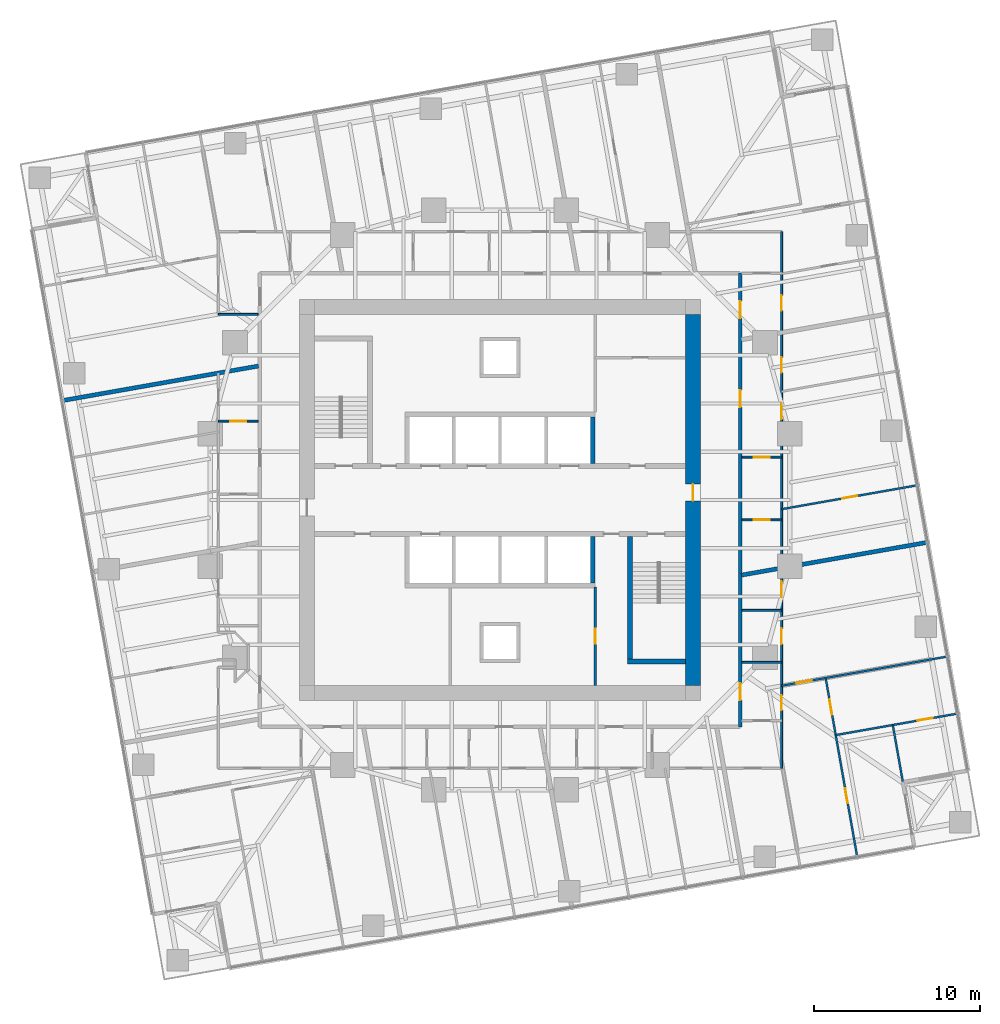
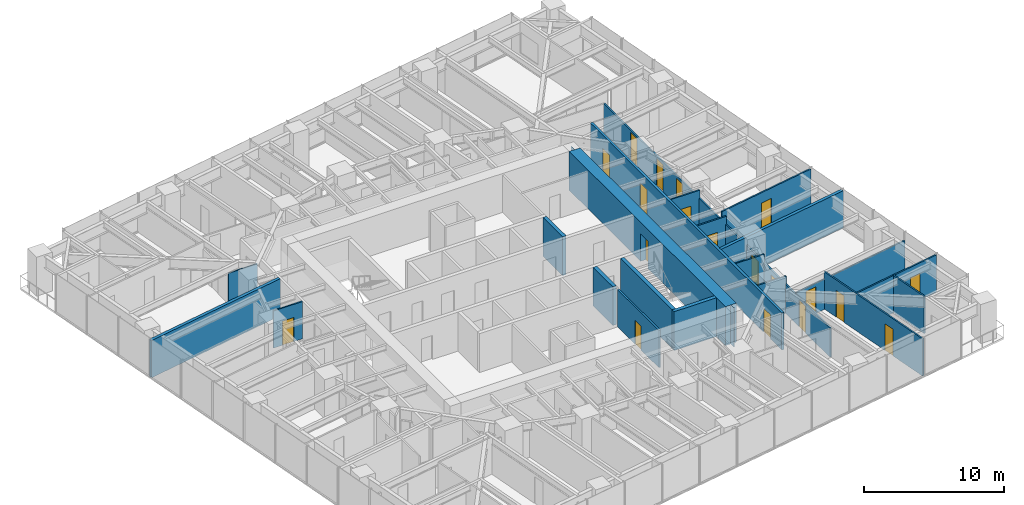
# One storey, part 11 of 14: 21 walls, 19 doors, 19 openings.
"""IFC4 building model written with IfcOpenShell, lengths in metres."""

from ifc_helpers import new_model, si_unit, direction, frame, frame_2d, origin, place, context, subcontext, project, spatial, polyline, rectangle, outline, extrude, material, layer, layer_set, type_object, element, fill, save


model = new_model("IFC4")

# Units and contexts
model_context = context("Model", 3, precision=1e-05, world=origin(), true_north=direction((0.0, 1.0)))
body_context = subcontext(model_context, "Body", "Model", "MODEL_VIEW")
ifc_project = project(units=[si_unit("LENGTHUNIT", "METRE"), si_unit("AREAUNIT", "SQUARE_METRE"), si_unit("VOLUMEUNIT", "CUBIC_METRE"), si_unit("PLANEANGLEUNIT", "RADIAN"), si_unit("MASSUNIT", "GRAM", prefix="KILO")], contexts=[model_context])

# Site, building, storey
site_placement = place(None, origin())
site = spatial("IfcSite", under=ifc_project, at=site_placement, CompositionType="ELEMENT")
building_placement = place(site_placement, origin())
building = spatial("IfcBuilding", under=site, at=building_placement, Name="Torsade Residences", CompositionType="ELEMENT")
storey_placement = place(building_placement, frame((0.0, 0.0, 96.39990234375)))
storey = spatial("IfcBuildingStorey", under=building, at=storey_placement, Name="L26", CompositionType="ELEMENT", Elevation=96.39990234375)

# Walls
ifc_material_1 = material(Name="Concrete 80 MPa", Category="concrete")
ifc_layer_1 = layer(ifc_material_1, 0.300048828125)
ifc_layer_set_1 = layer_set([ifc_layer_1], Name="Concrete 80 MPa")
wall_type_1 = type_object("IfcWallType", Name="CORE INTERNAL WALL 300", PredefinedType="SHEAR", material=ifc_layer_set_1)
for number, where, z_axis, x_axis, name in (
    (1, (45.60009765625, 27.800048828125, 0.0), (0.0, 0.0, 1.0), (0.0, -1.0, 0.0), "Core wall DS0 L26"),
    (2, (45.60009765625, 32.199951171875, 0.0), (0.0, 0.0, 1.0), (0.0, 1.0, 0.0), "Core wall DN4 L26"),
):
    element("IfcWall", number, at=place(storey_placement, frame(where, z_axis=z_axis, x_axis=x_axis)), inside=storey, type_object=wall_type_1, Name=name, PredefinedType="SHEAR", context=body_context, shape_type="SweptSolid", body=[
        extrude(rectangle(XDim=2.800048828125, YDim=0.300048828125, at=frame_2d((1.39990234375, 0.0))), origin(), (0.0, 0.0, 1.0), 3.400146484375),
    ])
wall_1_placement = place(storey_placement, frame((47.85009765625, 27.800048828125, 0.0), z_axis=(0.0, 0.0, 1.0), x_axis=(0.0, -1.0, 0.0)))
element("IfcWall", 3, at=wall_1_placement, inside=storey, type_object=wall_type_1, Name="Core wall ST2W L26", PredefinedType="SHEAR", context=body_context, shape_type="SweptSolid", body=[
    extrude(rectangle(XDim=7.699951171875, YDim=0.300048828125, at=frame_2d((3.85009765625, 0.0))), origin(), (0.0, 0.0, 1.0), 3.400146484375),
])
wall_2_placement = place(storey_placement, frame((51.199951171875, 20.25, 0.0), z_axis=(0.0, 0.0, 1.0), x_axis=(-1.0, 0.0, 0.0)))
element("IfcWall", 4, at=wall_2_placement, inside=storey, type_object=wall_type_1, Name="Core wall ST2S L26", PredefinedType="SHEAR", context=body_context, shape_type="SweptSolid", body=[
    extrude(rectangle(XDim=3.5, YDim=0.300048828125, at=frame_2d((1.75, 0.0))), origin(), (0.0, 0.0, 1.0), 3.400146484375),
])

# Wall, opening, door
ifc_material_2 = material(Name="Concrete 80 MPa", Category="concrete")
ifc_layer_2 = layer(ifc_material_2, 0.89990234375)
ifc_layer_set_2 = layer_set([ifc_layer_2], Name="Concrete 80 MPa")
wall_type_2 = type_object("IfcWallType", Name="CORE WALL 900", PredefinedType="SHEAR", material=ifc_layer_set_2)
wall_3_placement = place(storey_placement, frame((51.64990234375, 18.800048828125, 0.0), z_axis=(0.0, 0.0, 1.0), x_axis=(0.0, 1.0, 0.0)))
wall_3 = element("IfcWall", 5, at=wall_3_placement, inside=storey, type_object=wall_type_2, Name="Core wall E L26", PredefinedType="SHEAR", context=body_context, shape_type="SweptSolid", body=[
    extrude(outline(polyline([(0.0, -0.449951171875), (22.39990234375, -0.449951171875), (22.39990234375, -0.02490234375), (22.849853515625, -0.02490234375), (22.849853515625, 0.02490234375), (22.39990234375, 0.02490234375), (22.39990234375, 0.449951171875), (0.0, 0.449951171875), (0.0, 0.02490234375), (-0.449951171875, 0.02490234375), (-0.449951171875, -0.02490234375), (0.0, -0.02490234375), (0.0, -0.449951171875)])), origin(), (0.0, 0.0, 1.0), 3.400146484375),
])
opening_1_placement = place(wall_3_placement, frame((11.139892578125, 0.0, 0.0)))
opening_1 = element("IfcOpeningElement", 6, at=opening_1_placement, cuts=wall_3, Name="Opening D04", PredefinedType="OPENING", context=body_context, shape_type="SweptSolid", body=[
    extrude(rectangle(XDim=1.02001953125, YDim=2.39990234375, at=frame_2d((0.510009765625, 1.199951171875))), frame((0.0, 0.4599609375, 0.0), z_axis=(0.0, -1.0, 0.0), x_axis=(1.0, 0.0, 0.0)), (0.0, 0.0, 1.0), 0.919921875),
])
ifc_material_3 = material(Name="Steel-framed fire door", Category="steel")
door_type_1 = type_object("IfcDoorType", Name="LOBBY SMOKE DOOR 1020x2400", OperationType="NOTDEFINED", PredefinedType="DOOR", material=ifc_material_3)
door_1_placement = place(opening_1_placement, origin())
door_1 = element("IfcDoor", 7, at=door_1_placement, inside=storey, type_object=door_type_1, Name="Lift lobby door E L26", OperationType="SINGLE_SWING_LEFT", OverallHeight=2.39990234375, OverallWidth=1.02001953125, PredefinedType="DOOR", context=body_context, shape_type="SweptSolid", body=[
    extrude(rectangle(XDim=1.02001953125, YDim=2.39990234375, at=frame_2d((0.510009765625, 1.199951171875))), frame((0.0, 0.02490234375, 0.0), z_axis=(0.0, -1.0, 0.0), x_axis=(1.0, 0.0, 0.0)), (0.0, 0.0, 1.0), 0.050048828125),
])
fill(opening_1, door_1)

# Wall, openings, doors
ifc_material_4 = material(Name="Plasterboard on steel stud", Category="steel")
ifc_layer_3 = layer(ifc_material_4, 0.199951171875)
ifc_layer_set_3 = layer_set([ifc_layer_3], Name="Plasterboard on steel stud")
wall_type_3 = type_object("IfcWallType", Name="CORRIDOR WALL 200", PredefinedType="PARTITIONING", material=ifc_layer_set_3)
wall_4_placement = place(storey_placement, frame((54.5, 16.300048828125, 0.0), z_axis=(0.0, 0.0, 1.0), x_axis=(0.0, 1.0, 0.0)))
wall_4 = element("IfcWall", 8, at=wall_4_placement, inside=storey, type_object=wall_type_3, Name="Corridor wall L26", PredefinedType="PARTITIONING", context=body_context, shape_type="SweptSolid", body=[
    extrude(rectangle(XDim=27.39990234375, YDim=0.199951171875, at=frame_2d((13.699951171875, 0.0))), origin(), (0.0, 0.0, 1.0), 3.25),
])
opening_2_placement = place(wall_4_placement, frame((19.307861328125, 0.0, 0.0)))
opening_2 = element("IfcOpeningElement", 9, at=opening_2_placement, cuts=wall_4, Name="Opening D01", PredefinedType="OPENING", context=body_context, shape_type="SweptSolid", body=[
    extrude(rectangle(XDim=1.02001953125, YDim=2.340087890625, at=frame_2d((0.510009765625, 1.169921875))), frame((0.0, 0.10986328125, 0.0), z_axis=(0.0, -1.0, 0.0), x_axis=(1.0, 0.0, 0.0)), (0.0, 0.0, 1.0), 0.219970703125),
])
opening_3_placement = place(wall_4_placement, frame((24.6865234375, 0.0, 0.0)))
opening_3 = element("IfcOpeningElement", 10, at=opening_3_placement, cuts=wall_4, Name="Opening D01L", PredefinedType="OPENING", context=body_context, shape_type="SweptSolid", body=[
    extrude(rectangle(XDim=1.02001953125, YDim=2.10009765625, at=frame_2d((0.510009765625, 1.050048828125))), frame((0.0, 0.10986328125, 0.0), z_axis=(0.0, -1.0, 0.0), x_axis=(1.0, 0.0, 0.0)), (0.0, 0.0, 1.0), 0.219970703125),
])
opening_4_placement = place(wall_4_placement, frame((1.62158203125, 0.0, 0.0)))
opening_4 = element("IfcOpeningElement", 11, at=opening_4_placement, cuts=wall_4, Name="Opening D01L", PredefinedType="OPENING", context=body_context, shape_type="SweptSolid", body=[
    extrude(rectangle(XDim=1.02001953125, YDim=2.10009765625, at=frame_2d((0.510009765625, 1.050048828125))), frame((0.0, 0.10986328125, 0.0), z_axis=(0.0, -1.0, 0.0), x_axis=(1.0, 0.0, 0.0)), (0.0, 0.0, 1.0), 0.219970703125),
])
ifc_material_5 = material(Name="Solid-core timber fire door", Category="wood")
door_type_2 = type_object("IfcDoorType", Name="APARTMENT ENTRY DOOR 1020x2100", OperationType="NOTDEFINED", PredefinedType="DOOR", material=ifc_material_5)
door_2_placement = place(opening_3_placement, origin())
door_2 = element("IfcDoor", 12, at=door_2_placement, inside=storey, type_object=door_type_2, Name="Door Residential corridor to Kitchen and dining", OperationType="SINGLE_SWING_RIGHT", OverallHeight=2.10009765625, OverallWidth=1.02001953125, PredefinedType="DOOR", context=body_context, shape_type="SweptSolid", body=[
    extrude(rectangle(XDim=1.02001953125, YDim=2.10009765625, at=frame_2d((0.510009765625, 1.050048828125))), frame((0.0, 0.02490234375, 0.0), z_axis=(0.0, -1.0, 0.0), x_axis=(1.0, 0.0, 0.0)), (0.0, 0.0, 1.0), 0.050048828125),
])
fill(opening_3, door_2)
door_3_placement = place(opening_4_placement, origin())
door_3 = element("IfcDoor", 13, at=door_3_placement, inside=storey, type_object=door_type_2, Name="Door Residential corridor to Kitchen and dining", OperationType="SINGLE_SWING_LEFT", OverallHeight=2.10009765625, OverallWidth=1.02001953125, PredefinedType="DOOR", context=body_context, shape_type="SweptSolid", body=[
    extrude(rectangle(XDim=1.02001953125, YDim=2.10009765625, at=frame_2d((0.510009765625, 1.050048828125))), frame((0.0, 0.02490234375, 0.0), z_axis=(0.0, -1.0, 0.0), x_axis=(1.0, 0.0, 0.0)), (0.0, 0.0, 1.0), 0.050048828125),
])
fill(opening_4, door_3)
ifc_material_6 = material(Name="Solid-core timber fire door", Category="wood")
door_type_3 = type_object("IfcDoorType", Name="APARTMENT ENTRY DOOR 1020x2340", OperationType="NOTDEFINED", PredefinedType="DOOR", material=ifc_material_6)
door_4_placement = place(opening_2_placement, origin())
door_4 = element("IfcDoor", 14, at=door_4_placement, inside=storey, type_object=door_type_3, Name="Door Residential corridor to Kitchen and dining", OperationType="SINGLE_SWING_LEFT", OverallHeight=2.340087890625, OverallWidth=1.02001953125, PredefinedType="DOOR", context=body_context, shape_type="SweptSolid", body=[
    extrude(rectangle(XDim=1.02001953125, YDim=2.340087890625, at=frame_2d((0.510009765625, 1.169921875))), frame((0.0, 0.02490234375, 0.0), z_axis=(0.0, -1.0, 0.0), x_axis=(1.0, 0.0, 0.0)), (0.0, 0.0, 1.0), 0.050048828125),
])
fill(opening_2, door_4)

# Wall
ifc_material_7 = material(Name="Plasterboard on steel stud", Category="steel")
ifc_layer_4 = layer(ifc_material_7, 0.1201171875)
ifc_layer_set_4 = layer_set([ifc_layer_4], Name="Plasterboard on steel stud")
wall_type_4 = type_object("IfcWallType", Name="PARTITION 120", PredefinedType="PARTITIONING", material=ifc_layer_set_4)
wall_5_placement = place(storey_placement, frame((54.60009765625, 20.19189453125, 0.0), z_axis=(0.0, 0.0, 1.0), x_axis=(1.0, 0.0, 0.0)))
element("IfcWall", 15, at=wall_5_placement, inside=storey, type_object=wall_type_4, Name="Partition L26", PredefinedType="PARTITIONING", context=body_context, shape_type="SweptSolid", body=[
    extrude(rectangle(XDim=2.39990234375, YDim=0.1201171875, at=frame_2d((1.199951171875, 0.0))), origin(), (0.0, 0.0, 1.0), 3.25),
])

# Wall, openings, doors
wall_6_placement = place(storey_placement, frame((57.0, 46.199951171875, 0.0), z_axis=(0.0, 0.0, 1.0), x_axis=(0.0, -1.0, 0.0)))
wall_6 = element("IfcWall", 16, at=wall_6_placement, inside=storey, type_object=wall_type_4, Name="Partition L26", PredefinedType="PARTITIONING", context=body_context, shape_type="SweptSolid", body=[
    extrude(rectangle(XDim=32.39990234375, YDim=0.1201171875, at=frame_2d((16.199951171875, 0.0))), origin(), (0.0, 0.0, 1.0), 2.550048828125),
])
opening_5_placement = place(wall_6_placement, frame((10.396484375, 0.0, 0.0)))
opening_5 = element("IfcOpeningElement", 17, at=opening_5_placement, cuts=wall_6, Name="Opening D02", PredefinedType="OPENING", context=body_context, shape_type="SweptSolid", body=[
    extrude(rectangle(XDim=0.919921875, YDim=2.340087890625, at=frame_2d((0.4599609375, 1.169921875))), frame((0.0, 0.070068359375, 0.0), z_axis=(0.0, -1.0, 0.0), x_axis=(1.0, 0.0, 0.0)), (0.0, 0.0, 1.0), 0.14013671875),
])
opening_6_placement = place(wall_6_placement, frame((7.5869140625, 0.0, 0.0)))
opening_6 = element("IfcOpeningElement", 18, at=opening_6_placement, cuts=wall_6, Name="Opening D02", PredefinedType="OPENING", context=body_context, shape_type="SweptSolid", body=[
    extrude(rectangle(XDim=0.919921875, YDim=2.340087890625, at=frame_2d((0.4599609375, 1.169921875))), frame((0.0, 0.070068359375, 0.0), z_axis=(0.0, -1.0, 0.0), x_axis=(1.0, 0.0, 0.0)), (0.0, 0.0, 1.0), 0.14013671875),
])
opening_7_placement = place(wall_6_placement, frame((3.8427734375, 0.0, 0.0)))
opening_7 = element("IfcOpeningElement", 19, at=opening_7_placement, cuts=wall_6, Name="Opening D02", PredefinedType="OPENING", context=body_context, shape_type="SweptSolid", body=[
    extrude(rectangle(XDim=0.919921875, YDim=2.340087890625, at=frame_2d((0.4599609375, 1.169921875))), frame((0.0, 0.070068359375, 0.0), z_axis=(0.0, -1.0, 0.0), x_axis=(1.0, 0.0, 0.0)), (0.0, 0.0, 1.0), 0.14013671875),
])
opening_8_placement = place(wall_6_placement, frame((27.98828125, 0.0, 0.0)))
opening_8 = element("IfcOpeningElement", 20, at=opening_8_placement, cuts=wall_6, Name="Opening D02", PredefinedType="OPENING", context=body_context, shape_type="SweptSolid", body=[
    extrude(rectangle(XDim=0.919921875, YDim=2.340087890625, at=frame_2d((0.4599609375, 1.169921875))), frame((0.0, 0.070068359375, 0.0), z_axis=(0.0, -1.0, 0.0), x_axis=(1.0, 0.0, 0.0)), (0.0, 0.0, 1.0), 0.14013671875),
])
opening_9_placement = place(wall_6_placement, frame((23.956787109375, 0.0, 0.0)))
opening_9 = element("IfcOpeningElement", 21, at=opening_9_placement, cuts=wall_6, Name="Opening D05", PredefinedType="OPENING", context=body_context, shape_type="SweptSolid", body=[
    extrude(rectangle(XDim=0.9599609375, YDim=2.10009765625, at=frame_2d((0.47998046875, 1.050048828125))), frame((0.0, 0.070068359375, 0.0), z_axis=(0.0, -1.0, 0.0), x_axis=(1.0, 0.0, 0.0)), (0.0, 0.0, 1.0), 0.14013671875),
])
opening_10_placement = place(wall_6_placement, frame((21.10791015625, 0.0, 0.0)))
opening_10 = element("IfcOpeningElement", 22, at=opening_10_placement, cuts=wall_6, Name="Opening D05", PredefinedType="OPENING", context=body_context, shape_type="SweptSolid", body=[
    extrude(rectangle(XDim=0.9599609375, YDim=2.10009765625, at=frame_2d((0.47998046875, 1.050048828125))), frame((0.0, 0.070068359375, 0.0), z_axis=(0.0, -1.0, 0.0), x_axis=(1.0, 0.0, 0.0)), (0.0, 0.0, 1.0), 0.14013671875),
])
ifc_material_8 = material(Name="Hollow-core timber door in a steel cavity frame", Category="steel")
door_type_4 = type_object("IfcDoorType", Name="BATHROOM CAVITY SLIDING DOOR 960", OperationType="SLIDING_TO_LEFT", PredefinedType="DOOR", material=ifc_material_8)
door_5_placement = place(opening_9_placement, origin())
door_5 = element("IfcDoor", 23, at=door_5_placement, inside=storey, type_object=door_type_4, Name="Door Living room to Bathroom", OperationType="SLIDING_TO_LEFT", OverallHeight=2.10009765625, OverallWidth=0.9599609375, PredefinedType="DOOR", context=body_context, shape_type="SweptSolid", body=[
    extrude(rectangle(XDim=0.9599609375, YDim=2.10009765625, at=frame_2d((0.47998046875, 1.050048828125))), frame((0.0, 0.02490234375, 0.0), z_axis=(0.0, -1.0, 0.0), x_axis=(1.0, 0.0, 0.0)), (0.0, 0.0, 1.0), 0.050048828125),
])
fill(opening_9, door_5)
door_6_placement = place(opening_10_placement, origin())
door_6 = element("IfcDoor", 24, at=door_6_placement, inside=storey, type_object=door_type_4, Name="Door Living room to Ensuite", OperationType="SLIDING_TO_LEFT", OverallHeight=2.10009765625, OverallWidth=0.9599609375, PredefinedType="DOOR", context=body_context, shape_type="SweptSolid", body=[
    extrude(rectangle(XDim=0.9599609375, YDim=2.10009765625, at=frame_2d((0.47998046875, 1.050048828125))), frame((0.0, 0.02490234375, 0.0), z_axis=(0.0, -1.0, 0.0), x_axis=(1.0, 0.0, 0.0)), (0.0, 0.0, 1.0), 0.050048828125),
])
fill(opening_10, door_6)
ifc_material_9 = material(Name="Hollow-core timber door", Category="wood")
door_type_5 = type_object("IfcDoorType", Name="INTERNAL DOOR 920x2340", OperationType="NOTDEFINED", PredefinedType="DOOR", material=ifc_material_9)
door_7_placement = place(opening_5_placement, origin())
door_7 = element("IfcDoor", 25, at=door_7_placement, inside=storey, type_object=door_type_5, Name="Door Kitchen and dining to Living room", OperationType="SINGLE_SWING_RIGHT", OverallHeight=2.340087890625, OverallWidth=0.919921875, PredefinedType="DOOR", context=body_context, shape_type="SweptSolid", body=[
    extrude(rectangle(XDim=0.919921875, YDim=2.340087890625, at=frame_2d((0.4599609375, 1.169921875))), frame((0.0, 0.02490234375, 0.0), z_axis=(0.0, -1.0, 0.0), x_axis=(1.0, 0.0, 0.0)), (0.0, 0.0, 1.0), 0.050048828125),
])
fill(opening_5, door_7)
door_8_placement = place(opening_6_placement, origin())
door_8 = element("IfcDoor", 26, at=door_8_placement, inside=storey, type_object=door_type_5, Name="Door Kitchen and dining to Bedroom 2", OperationType="SINGLE_SWING_RIGHT", OverallHeight=2.340087890625, OverallWidth=0.919921875, PredefinedType="DOOR", context=body_context, shape_type="SweptSolid", body=[
    extrude(rectangle(XDim=0.919921875, YDim=2.340087890625, at=frame_2d((0.4599609375, 1.169921875))), frame((0.0, 0.02490234375, 0.0), z_axis=(0.0, -1.0, 0.0), x_axis=(1.0, 0.0, 0.0)), (0.0, 0.0, 1.0), 0.050048828125),
])
fill(opening_6, door_8)
door_9_placement = place(opening_7_placement, origin())
door_9 = element("IfcDoor", 27, at=door_9_placement, inside=storey, type_object=door_type_5, Name="Door Kitchen and dining to Study", OperationType="SINGLE_SWING_RIGHT", OverallHeight=2.340087890625, OverallWidth=0.919921875, PredefinedType="DOOR", context=body_context, shape_type="SweptSolid", body=[
    extrude(rectangle(XDim=0.919921875, YDim=2.340087890625, at=frame_2d((0.4599609375, 1.169921875))), frame((0.0, 0.02490234375, 0.0), z_axis=(0.0, -1.0, 0.0), x_axis=(1.0, 0.0, 0.0)), (0.0, 0.0, 1.0), 0.050048828125),
])
fill(opening_7, door_9)
door_10_placement = place(opening_8_placement, origin())
door_10 = element("IfcDoor", 28, at=door_10_placement, inside=storey, type_object=door_type_5, Name="Door Kitchen and dining to Bedroom 1", OperationType="SINGLE_SWING_LEFT", OverallHeight=2.340087890625, OverallWidth=0.919921875, PredefinedType="DOOR", context=body_context, shape_type="SweptSolid", body=[
    extrude(rectangle(XDim=0.919921875, YDim=2.340087890625, at=frame_2d((0.4599609375, 1.169921875))), frame((0.0, 0.02490234375, 0.0), z_axis=(0.0, -1.0, 0.0), x_axis=(1.0, 0.0, 0.0)), (0.0, 0.0, 1.0), 0.050048828125),
])
fill(opening_8, door_10)

# Wall
wall_7_placement = place(storey_placement, frame((54.60009765625, 23.334716796875, 0.0), z_axis=(0.0, 0.0, 1.0), x_axis=(1.0, 0.0, 0.0)))
element("IfcWall", 29, at=wall_7_placement, inside=storey, type_object=wall_type_4, Name="Partition L26", PredefinedType="PARTITIONING", context=body_context, shape_type="SweptSolid", body=[
    extrude(rectangle(XDim=2.39990234375, YDim=0.1201171875, at=frame_2d((1.199951171875, 0.0))), origin(), (0.0, 0.0, 1.0), 3.25),
])

# Wall, opening, door
wall_8_placement = place(storey_placement, frame((67.011962890625, 20.546875, 0.0), z_axis=(0.0, 0.0, 1.0), x_axis=(-0.984807724889, -0.173648337162, 0.0)))
wall_8 = element("IfcWall", 30, at=wall_8_placement, inside=storey, type_object=wall_type_4, Name="Partition L26", PredefinedType="PARTITIONING", context=body_context, shape_type="SweptSolid", body=[
    extrude(rectangle(XDim=10.16650390625, YDim=0.1201171875, at=frame_2d((5.083251953125, 0.0))), origin(), (0.0, 0.0, 1.0), 2.63818359375),
])
opening_11_placement = place(wall_8_placement, frame((8.328125, 0.0, 0.0)))
opening_11 = element("IfcOpeningElement", 31, at=opening_11_placement, cuts=wall_8, Name="Opening D02", PredefinedType="OPENING", context=body_context, shape_type="SweptSolid", body=[
    extrude(rectangle(XDim=0.919921875, YDim=2.340087890625, at=frame_2d((0.4599609375, 1.169921875))), frame((0.0, 0.070068359375, 0.0), z_axis=(0.0, -1.0, 0.0), x_axis=(1.0, 0.0, 0.0)), (0.0, 0.0, 1.0), 0.14013671875),
])
door_11_placement = place(opening_11_placement, origin())
door_11 = element("IfcDoor", 32, at=door_11_placement, inside=storey, type_object=door_type_5, Name="Door Bedroom 1 to Living room", OperationType="SINGLE_SWING_LEFT", OverallHeight=2.340087890625, OverallWidth=0.919921875, PredefinedType="DOOR", context=body_context, shape_type="SweptSolid", body=[
    extrude(rectangle(XDim=0.919921875, YDim=2.340087890625, at=frame_2d((0.4599609375, 1.169921875))), frame((0.0, 0.02490234375, 0.0), z_axis=(0.0, -1.0, 0.0), x_axis=(1.0, 0.0, 0.0)), (0.0, 0.0, 1.0), 0.050048828125),
])
fill(opening_11, door_11)

# Wall, openings, doors
wall_9_placement = place(storey_placement, frame((59.665283203125, 19.25146484375, 0.0), z_axis=(0.0, 0.0, 1.0), x_axis=(0.173639194339, -0.984809336973, 0.0)))
wall_9 = element("IfcWall", 33, at=wall_9_placement, inside=storey, type_object=wall_type_4, Name="Partition L26", PredefinedType="PARTITIONING", context=body_context, shape_type="SweptSolid", body=[
    extrude(rectangle(XDim=10.9599609375, YDim=0.1201171875, at=frame_2d((5.47998046875, 0.0))), origin(), (0.0, 0.0, 1.0), 3.25),
])
opening_12_placement = place(wall_9_placement, frame((6.764892578125, 0.0, 0.0)))
opening_12 = element("IfcOpeningElement", 34, at=opening_12_placement, cuts=wall_9, Name="Opening D02", PredefinedType="OPENING", context=body_context, shape_type="SweptSolid", body=[
    extrude(rectangle(XDim=0.919921875, YDim=2.340087890625, at=frame_2d((0.4599609375, 1.169921875))), frame((0.0, 0.070068359375, 0.0), z_axis=(0.0, -1.0, 0.0), x_axis=(1.0, 0.0, 0.0)), (0.0, 0.0, 1.0), 0.14013671875),
])
opening_13_placement = place(wall_9_placement, frame((1.31494140625, 0.0, 0.0)))
opening_13 = element("IfcOpeningElement", 35, at=opening_13_placement, cuts=wall_9, Name="Opening D02", PredefinedType="OPENING", context=body_context, shape_type="SweptSolid", body=[
    extrude(rectangle(XDim=0.919921875, YDim=2.340087890625, at=frame_2d((0.4599609375, 1.169921875))), frame((0.0, 0.070068359375, 0.0), z_axis=(0.0, -1.0, 0.0), x_axis=(1.0, 0.0, 0.0)), (0.0, 0.0, 1.0), 0.14013671875),
])
door_12_placement = place(opening_12_placement, origin())
door_12 = element("IfcDoor", 36, at=door_12_placement, inside=storey, type_object=door_type_5, Name="Door Bedroom 1 to Study", OperationType="SINGLE_SWING_LEFT", OverallHeight=2.340087890625, OverallWidth=0.919921875, PredefinedType="DOOR", context=body_context, shape_type="SweptSolid", body=[
    extrude(rectangle(XDim=0.919921875, YDim=2.340087890625, at=frame_2d((0.4599609375, 1.169921875))), frame((0.0, 0.02490234375, 0.0), z_axis=(0.0, -1.0, 0.0), x_axis=(1.0, 0.0, 0.0)), (0.0, 0.0, 1.0), 0.050048828125),
])
fill(opening_12, door_12)
door_13_placement = place(opening_13_placement, origin())
door_13 = element("IfcDoor", 37, at=door_13_placement, inside=storey, type_object=door_type_5, Name="Door Bedroom 1 to Bedroom 2", OperationType="SINGLE_SWING_RIGHT", OverallHeight=2.340087890625, OverallWidth=0.919921875, PredefinedType="DOOR", context=body_context, shape_type="SweptSolid", body=[
    extrude(rectangle(XDim=0.919921875, YDim=2.340087890625, at=frame_2d((0.4599609375, 1.169921875))), frame((0.0, 0.02490234375, 0.0), z_axis=(0.0, -1.0, 0.0), x_axis=(1.0, 0.0, 0.0)), (0.0, 0.0, 1.0), 0.050048828125),
])
fill(opening_13, door_13)

# Wall, opening, door
wall_10_placement = place(storey_placement, frame((67.61962890625, 17.10009765625, 0.0), z_axis=(0.0, 0.0, 1.0), x_axis=(-0.984807929323, -0.173647177755, 0.0)))
wall_10 = element("IfcWall", 38, at=wall_10_placement, inside=storey, type_object=wall_type_4, Name="Partition L26", PredefinedType="PARTITIONING", context=body_context, shape_type="SweptSolid", body=[
    extrude(rectangle(XDim=7.4599609375, YDim=0.1201171875, at=frame_2d((3.72998046875, 0.0))), origin(), (0.0, 0.0, 1.0), 3.25),
])
opening_14_placement = place(wall_10_placement, frame((1.525146484375, 0.0, 0.0)))
opening_14 = element("IfcOpeningElement", 39, at=opening_14_placement, cuts=wall_10, Name="Opening D02", PredefinedType="OPENING", context=body_context, shape_type="SweptSolid", body=[
    extrude(rectangle(XDim=0.919921875, YDim=2.340087890625, at=frame_2d((0.4599609375, 1.169921875))), frame((0.0, 0.070068359375, 0.0), z_axis=(0.0, -1.0, 0.0), x_axis=(1.0, 0.0, 0.0)), (0.0, 0.0, 1.0), 0.14013671875),
])
door_14_placement = place(opening_14_placement, origin())
door_14 = element("IfcDoor", 40, at=door_14_placement, inside=storey, type_object=door_type_5, Name="Door Bedroom 2 to Media room", OperationType="SINGLE_SWING_RIGHT", OverallHeight=2.340087890625, OverallWidth=0.919921875, PredefinedType="DOOR", context=body_context, shape_type="SweptSolid", body=[
    extrude(rectangle(XDim=0.919921875, YDim=2.340087890625, at=frame_2d((0.4599609375, 1.169921875))), frame((0.0, 0.02490234375, 0.0), z_axis=(0.0, -1.0, 0.0), x_axis=(1.0, 0.0, 0.0)), (0.0, 0.0, 1.0), 0.050048828125),
])
fill(opening_14, door_14)

# Wall
wall_11_placement = place(storey_placement, frame((63.7197265625, 16.412353515625, 0.0), z_axis=(0.0, 0.0, 1.0), x_axis=(0.173660541335, -0.984805572884, 0.0)))
element("IfcWall", 41, at=wall_11_placement, inside=storey, type_object=wall_type_4, Name="Partition L26", PredefinedType="PARTITIONING", context=body_context, shape_type="SweptSolid", body=[
    extrude(rectangle(XDim=3.459716796875, YDim=0.1201171875, at=frame_2d((1.72998046875, 0.0))), origin(), (0.0, 0.0, 1.0), 3.25),
])

# Wall, opening, door
wall_12_placement = place(storey_placement, frame((57.0, 32.584716796875, 0.0), z_axis=(0.0, 0.0, 1.0), x_axis=(-1.0, 0.0, 0.0)))
wall_12 = element("IfcWall", 42, at=wall_12_placement, inside=storey, type_object=wall_type_4, Name="Partition L26", PredefinedType="PARTITIONING", context=body_context, shape_type="SweptSolid", body=[
    extrude(rectangle(XDim=2.39990234375, YDim=0.1201171875, at=frame_2d((1.199951171875, 0.0))), origin(), (0.0, 0.0, 1.0), 3.25),
])
opening_15_placement = place(wall_12_placement, frame((0.719970703125, 0.0, 0.0)))
opening_15 = element("IfcOpeningElement", 43, at=opening_15_placement, cuts=wall_12, Name="Opening D05", PredefinedType="OPENING", context=body_context, shape_type="SweptSolid", body=[
    extrude(rectangle(XDim=0.9599609375, YDim=2.10009765625, at=frame_2d((0.47998046875, 1.050048828125))), frame((0.0, 0.070068359375, 0.0), z_axis=(0.0, -1.0, 0.0), x_axis=(1.0, 0.0, 0.0)), (0.0, 0.0, 1.0), 0.14013671875),
])
door_15_placement = place(opening_15_placement, origin())
door_15 = element("IfcDoor", 44, at=door_15_placement, inside=storey, type_object=door_type_4, Name="Door Kitchen and dining to Bathroom", OperationType="SLIDING_TO_LEFT", OverallHeight=2.10009765625, OverallWidth=0.9599609375, PredefinedType="DOOR", context=body_context, shape_type="SweptSolid", body=[
    extrude(rectangle(XDim=0.9599609375, YDim=2.10009765625, at=frame_2d((0.47998046875, 1.050048828125))), frame((0.0, 0.02490234375, 0.0), z_axis=(0.0, -1.0, 0.0), x_axis=(1.0, 0.0, 0.0)), (0.0, 0.0, 1.0), 0.050048828125),
])
fill(opening_15, door_15)

wall_13_placement = place(storey_placement, frame((57.0, 28.802490234375, 0.0), z_axis=(0.0, 0.0, 1.0), x_axis=(-1.0, 0.0, 0.0)))
wall_13 = element("IfcWall", 45, at=wall_13_placement, inside=storey, type_object=wall_type_4, Name="Partition L26", PredefinedType="PARTITIONING", context=body_context, shape_type="SweptSolid", body=[
    extrude(rectangle(XDim=2.39990234375, YDim=0.1201171875, at=frame_2d((1.199951171875, 0.0))), origin(), (0.0, 0.0, 1.0), 3.25),
])
opening_16_placement = place(wall_13_placement, frame((0.719970703125, 0.0, 0.0)))
opening_16 = element("IfcOpeningElement", 46, at=opening_16_placement, cuts=wall_13, Name="Opening D05", PredefinedType="OPENING", context=body_context, shape_type="SweptSolid", body=[
    extrude(rectangle(XDim=0.9599609375, YDim=2.10009765625, at=frame_2d((0.47998046875, 1.050048828125))), frame((0.0, 0.070068359375, 0.0), z_axis=(0.0, -1.0, 0.0), x_axis=(1.0, 0.0, 0.0)), (0.0, 0.0, 1.0), 0.14013671875),
])
door_16_placement = place(opening_16_placement, origin())
door_16 = element("IfcDoor", 47, at=door_16_placement, inside=storey, type_object=door_type_4, Name="Door Bathroom to Ensuite", OperationType="SLIDING_TO_LEFT", OverallHeight=2.10009765625, OverallWidth=0.9599609375, PredefinedType="DOOR", context=body_context, shape_type="SweptSolid", body=[
    extrude(rectangle(XDim=0.9599609375, YDim=2.10009765625, at=frame_2d((0.47998046875, 1.050048828125))), frame((0.0, 0.02490234375, 0.0), z_axis=(0.0, -1.0, 0.0), x_axis=(1.0, 0.0, 0.0)), (0.0, 0.0, 1.0), 0.050048828125),
])
fill(opening_16, door_16)

wall_14_placement = place(storey_placement, frame((65.1884765625, 30.887451171875, 0.0), z_axis=(0.0, 0.0, 1.0), x_axis=(-0.984807787824, -0.173647980238, 0.0)))
wall_14 = element("IfcWall", 48, at=wall_14_placement, inside=storey, type_object=wall_type_4, Name="Partition L26", PredefinedType="PARTITIONING", context=body_context, shape_type="SweptSolid", body=[
    extrude(rectangle(XDim=8.314697265625, YDim=0.1201171875, at=frame_2d((4.1572265625, 0.0))), origin(), (0.0, 0.0, 1.0), 3.25),
])
opening_17_placement = place(wall_14_placement, frame((3.677490234375, 0.0, 0.0)))
opening_17 = element("IfcOpeningElement", 49, at=opening_17_placement, cuts=wall_14, Name="Opening D02", PredefinedType="OPENING", context=body_context, shape_type="SweptSolid", body=[
    extrude(rectangle(XDim=0.919921875, YDim=2.340087890625, at=frame_2d((0.4599609375, 1.169921875))), frame((0.0, 0.070068359375, 0.0), z_axis=(0.0, -1.0, 0.0), x_axis=(1.0, 0.0, 0.0)), (0.0, 0.0, 1.0), 0.14013671875),
])
door_17_placement = place(opening_17_placement, origin())
door_17 = element("IfcDoor", 50, at=door_17_placement, inside=storey, type_object=door_type_5, Name="Door Living room to Bedroom 1", OperationType="SINGLE_SWING_RIGHT", OverallHeight=2.340087890625, OverallWidth=0.919921875, PredefinedType="DOOR", context=body_context, shape_type="SweptSolid", body=[
    extrude(rectangle(XDim=0.919921875, YDim=2.340087890625, at=frame_2d((0.4599609375, 1.169921875))), frame((0.0, 0.02490234375, 0.0), z_axis=(0.0, -1.0, 0.0), x_axis=(1.0, 0.0, 0.0)), (0.0, 0.0, 1.0), 0.050048828125),
])
fill(opening_17, door_17)

# Wall
wall_15_placement = place(storey_placement, frame((25.39990234375, 41.207763671875, 0.0), z_axis=(0.0, 0.0, 1.0), x_axis=(-1.0, 0.0, 0.0)))
element("IfcWall", 51, at=wall_15_placement, inside=storey, type_object=wall_type_4, Name="Partition L26", PredefinedType="PARTITIONING", context=body_context, shape_type="SweptSolid", body=[
    extrude(rectangle(XDim=2.39990234375, YDim=0.1201171875, at=frame_2d((1.199951171875, 0.0))), origin(), (0.0, 0.0, 1.0), 2.63818359375),
])

# Wall, opening, door
wall_16_placement = place(storey_placement, frame((23.0, 34.764404296875, 0.0), z_axis=(0.0, 0.0, 1.0), x_axis=(1.0, 0.0, 0.0)))
wall_16 = element("IfcWall", 52, at=wall_16_placement, inside=storey, type_object=wall_type_4, Name="Partition L26", PredefinedType="PARTITIONING", context=body_context, shape_type="SweptSolid", body=[
    extrude(rectangle(XDim=2.39990234375, YDim=0.1201171875, at=frame_2d((1.199951171875, 0.0))), origin(), (0.0, 0.0, 1.0), 3.25),
])
opening_18_placement = place(wall_16_placement, frame((0.719970703125, 0.0, 0.0)))
opening_18 = element("IfcOpeningElement", 53, at=opening_18_placement, cuts=wall_16, Name="Opening D05", PredefinedType="OPENING", context=body_context, shape_type="SweptSolid", body=[
    extrude(rectangle(XDim=0.9599609375, YDim=2.10009765625, at=frame_2d((0.47998046875, 1.050048828125))), frame((0.0, 0.070068359375, 0.0), z_axis=(0.0, -1.0, 0.0), x_axis=(1.0, 0.0, 0.0)), (0.0, 0.0, 1.0), 0.14013671875),
])
door_18_placement = place(opening_18_placement, origin())
door_18 = element("IfcDoor", 54, at=door_18_placement, inside=storey, type_object=door_type_4, Name="Door Kitchen and dining to Bathroom", OperationType="SLIDING_TO_LEFT", OverallHeight=2.10009765625, OverallWidth=0.9599609375, PredefinedType="DOOR", context=body_context, shape_type="SweptSolid", body=[
    extrude(rectangle(XDim=0.9599609375, YDim=2.10009765625, at=frame_2d((0.47998046875, 1.050048828125))), frame((0.0, 0.02490234375, 0.0), z_axis=(0.0, -1.0, 0.0), x_axis=(1.0, 0.0, 0.0)), (0.0, 0.0, 1.0), 0.050048828125),
])
fill(opening_18, door_18)

# Walls
ifc_material_10 = material(Name="Masonry-lined stud party wall", Category="masonry")
ifc_layer_5 = layer(ifc_material_10, 0.25)
ifc_layer_set_5 = layer_set([ifc_layer_5], Name="Masonry-lined stud party wall")
wall_type_5 = type_object("IfcWallType", Name="PARTY WALL 250", PredefinedType="PARTITIONING", material=ifc_layer_set_5)
wall_17_placement = place(storey_placement, frame((65.835693359375, 27.447509765625, 0.0), z_axis=(0.0, 0.0, 1.0), x_axis=(-0.98481000304, -0.173635416642, 0.0)))
element("IfcWall", 55, at=wall_17_placement, inside=storey, type_object=wall_type_5, Name="Party wall L26", PredefinedType="PARTITIONING", context=body_context, shape_type="SweptSolid", body=[
    extrude(rectangle(XDim=11.427001953125, YDim=0.25, at=frame_2d((5.71337890625, 0.0))), origin(), (0.0, 0.0, 1.0), 3.25),
])
wall_18_placement = place(storey_placement, frame((13.556396484375, 35.999267578125, 0.0), z_axis=(0.0, 0.0, 1.0), x_axis=(0.984806609184, 0.173654664517, 0.0)))
element("IfcWall", 56, at=wall_18_placement, inside=storey, type_object=wall_type_5, Name="Party wall L26", PredefinedType="PARTITIONING", context=body_context, shape_type="SweptSolid", body=[
    extrude(rectangle(XDim=12.04443359375, YDim=0.25, at=frame_2d((6.022216796875, 0.0))), origin(), (0.0, 0.0, 1.0), 3.25),
])

# Wall, opening, door
ifc_material_11 = material(Name="Reinforced blockwork", Category="masonry")
ifc_layer_6 = layer(ifc_material_11, 0.14990234375)
ifc_layer_set_6 = layer_set([ifc_layer_6], Name="Reinforced blockwork")
wall_type_6 = type_object("IfcWallType", Name="SERVICE ROOM WALL 150", PredefinedType="SOLIDWALL", material=ifc_layer_set_6)
wall_19_placement = place(storey_placement, frame((45.75, 18.800048828125, 0.0), z_axis=(0.0, 0.0, 1.0), x_axis=(0.0, 1.0, 0.0)))
wall_19 = element("IfcWall", 57, at=wall_19_placement, inside=storey, type_object=wall_type_6, Name="Service room wall L26", PredefinedType="SOLIDWALL", context=body_context, shape_type="SweptSolid", body=[
    extrude(rectangle(XDim=5.949951171875, YDim=0.14990234375, at=frame_2d((2.97509765625, 0.0))), origin(), (0.0, 0.0, 1.0), 3.25),
])
opening_19_placement = place(wall_19_placement, frame((2.514892578125, 0.0, 0.0)))
opening_19 = element("IfcOpeningElement", 58, at=opening_19_placement, cuts=wall_19, Name="Opening D06", PredefinedType="OPENING", context=body_context, shape_type="SweptSolid", body=[
    extrude(rectangle(XDim=0.919921875, YDim=2.10009765625, at=frame_2d((0.4599609375, 1.050048828125))), frame((0.0, 0.0849609375, 0.0), z_axis=(0.0, -1.0, 0.0), x_axis=(1.0, 0.0, 0.0)), (0.0, 0.0, 1.0), 0.169921875),
])
ifc_material_12 = material(Name="Steel-framed fire door", Category="steel")
door_type_6 = type_object("IfcDoorType", Name="FIRE DOOR 920", OperationType="NOTDEFINED", PredefinedType="DOOR", material=ifc_material_12)
door_19_placement = place(opening_19_placement, origin())
door_19 = element("IfcDoor", 59, at=door_19_placement, inside=storey, type_object=door_type_6, Name="Door Security and data store to Communications riser room", OperationType="SINGLE_SWING_LEFT", OverallHeight=2.10009765625, OverallWidth=0.919921875, PredefinedType="DOOR", context=body_context, shape_type="SweptSolid", body=[
    extrude(rectangle(XDim=0.919921875, YDim=2.10009765625, at=frame_2d((0.4599609375, 1.050048828125))), frame((0.0, 0.02490234375, 0.0), z_axis=(0.0, -1.0, 0.0), x_axis=(1.0, 0.0, 0.0)), (0.0, 0.0, 1.0), 0.050048828125),
])
fill(opening_19, door_19)

save(model, "model.ifc")
